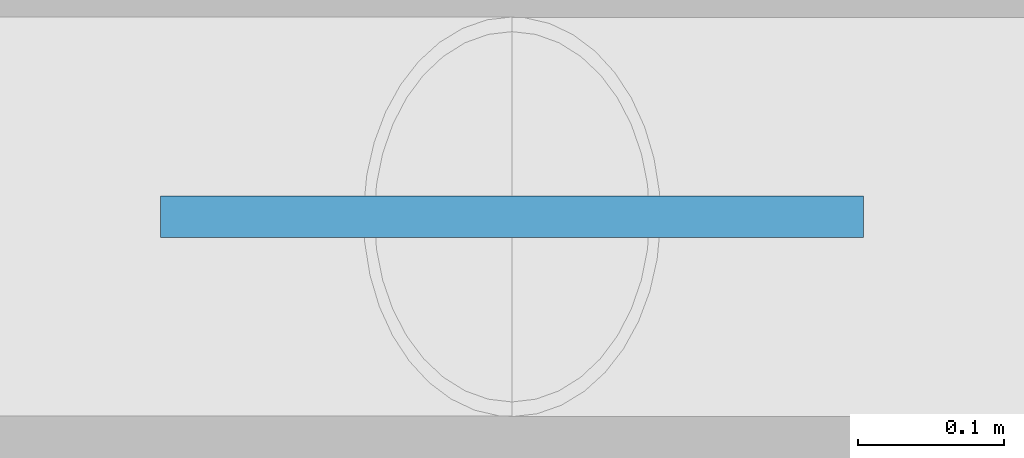
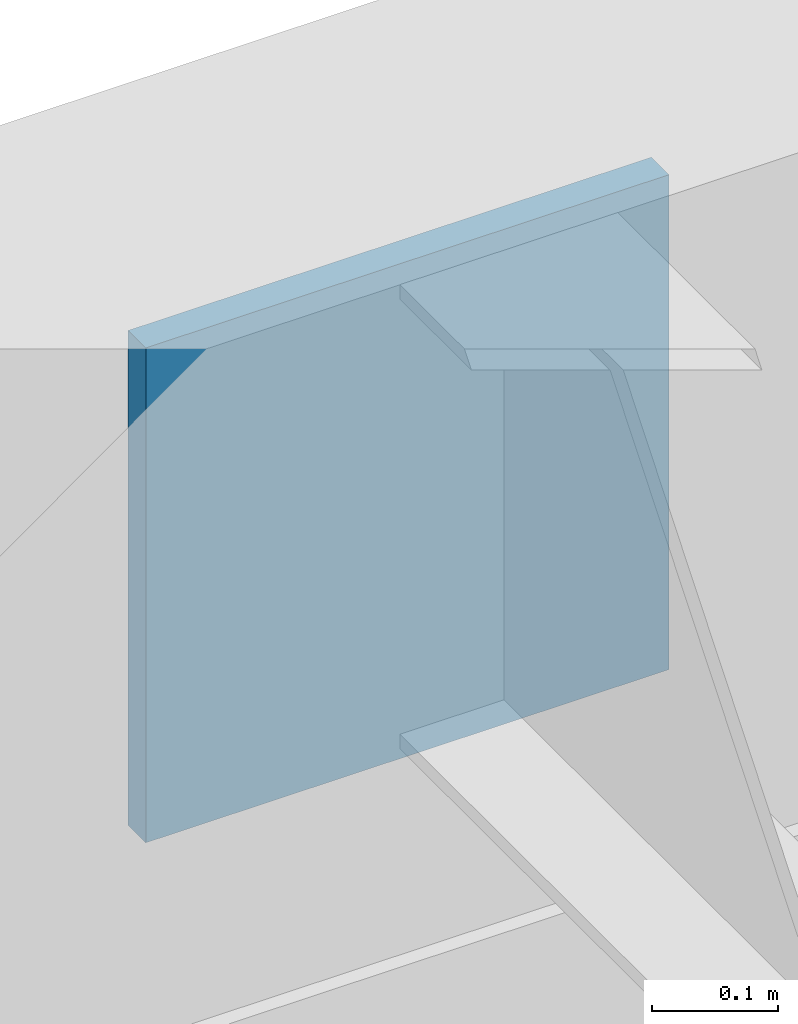
# One storey, part 22 of 51: 1 plate.
"""IFC4 building model written with IfcOpenShell, lengths in metres."""

from ifc_helpers import new_model, si_unit, direction, frame, origin, origin_2d, place, context, subcontext, project, spatial, rectangle, extrude, material, layer, layer_set, type_object, element, save


model = new_model("IFC4")

# Units and contexts
model_context = context("Model", 3, precision=1e-05, world=origin(), true_north=direction((0.0, 1.0)))
body_context = subcontext(model_context, "Body", "Model", "MODEL_VIEW")
ifc_project = project(units=[si_unit("LENGTHUNIT", "METRE"), si_unit("AREAUNIT", "SQUARE_METRE"), si_unit("VOLUMEUNIT", "CUBIC_METRE"), si_unit("PLANEANGLEUNIT", "RADIAN"), si_unit("MASSUNIT", "GRAM", prefix="KILO")], contexts=[model_context])

# Site, building, storey
site_placement = place(None, origin())
site = spatial("IfcSite", under=ifc_project, at=site_placement, CompositionType="ELEMENT")
building_placement = place(site_placement, origin())
building = spatial("IfcBuilding", under=site, at=building_placement, Name="Chengyuan Square Courthouse", CompositionType="ELEMENT")
storey_placement = place(building_placement, frame((0.0, 0.0, 10.800048828125)))
storey = spatial("IfcBuildingStorey", under=building, at=storey_placement, Name="L03", CompositionType="ELEMENT", Elevation=10.800048828125)

# Plate
ifc_material = material(Name="Steel Q355B", Category="steel")
ifc_layer = layer(ifc_material, 0.028076171875)
ifc_layer_set = layer_set([ifc_layer], Name="Steel Q355B")
plate_type = type_object("IfcPlateType", Name="GP-02", PredefinedType="SHEET", material=ifc_layer_set)
plate_placement = place(storey_placement, frame((105.0, 115.199951171875, 4.530029296875), z_axis=(0.0, 0.0, 1.0), x_axis=(1.0, 0.0, 0.0)))
element("IfcPlate", 1, at=plate_placement, inside=storey, type_object=plate_type, Name="Brace Gusset Plate GP-L03-12", PredefinedType="SHEET", context=body_context, shape_type="SweptSolid", body=[
    extrude(rectangle(XDim=0.47998046875, YDim=0.028076171875, at=origin_2d()), origin(), (0.0, 0.0, 1.0), 0.47998046875),
])

save(model, "model.ifc")
